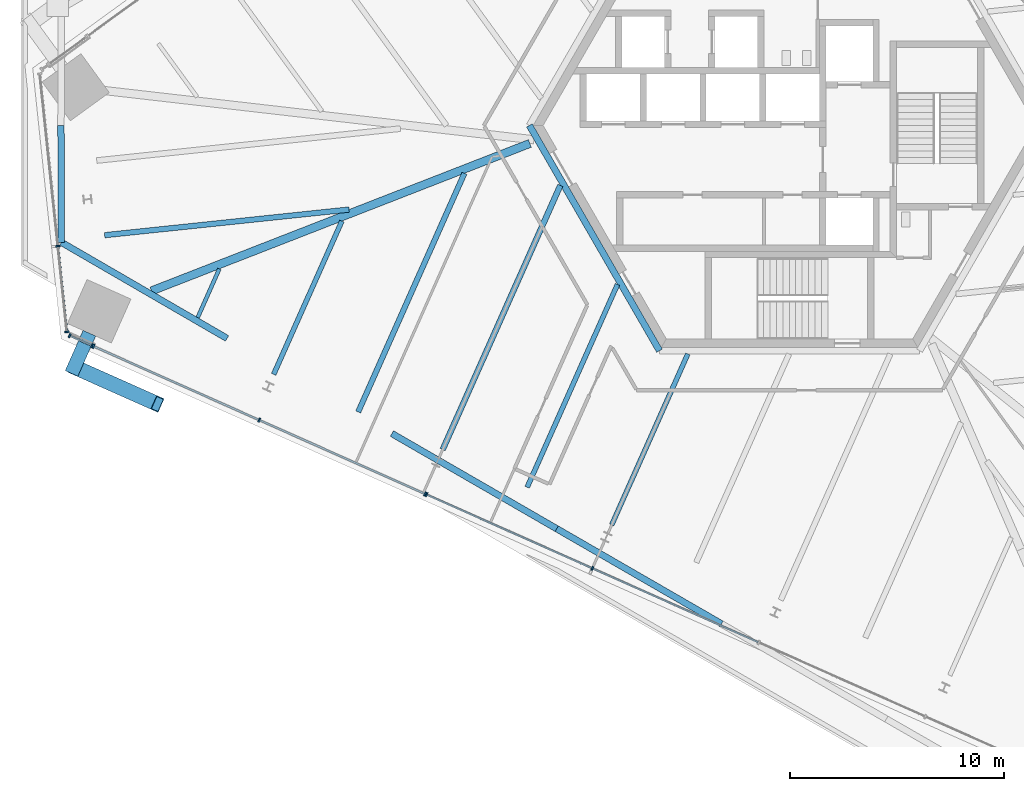
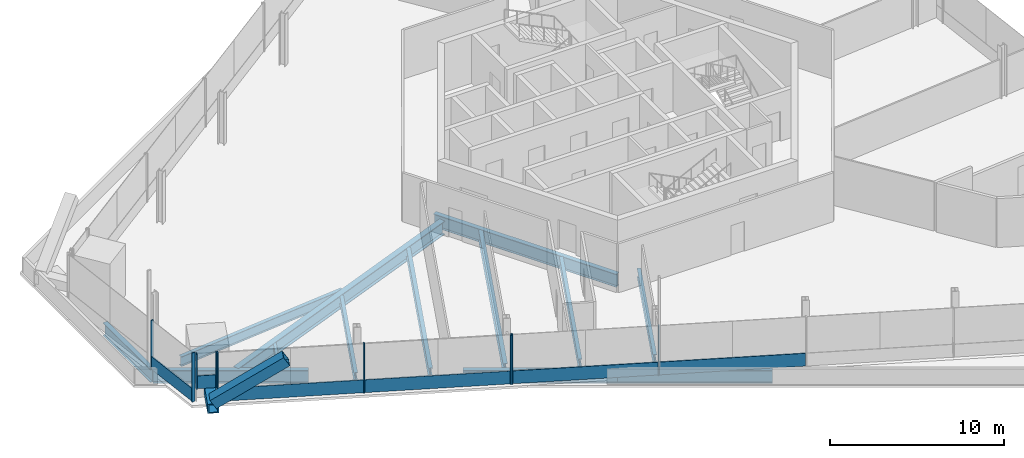
# One storey, part 3 of 24: 17 members, 13 beams, 4 elements without a shape of their own.
"""IFC4 building model written with IfcOpenShell, lengths in metres."""

from ifc_helpers import new_model, si_unit, direction, frame, origin, origin_2d, place, context, subcontext, project, spatial, rectangle, hollow_rectangle, i_section, extrude, source, transform, mapped, material, material_profile, profile_set, type_object, element, aggregate, save


model = new_model("IFC4")

# Units and contexts
model_context = context("Model", 3, precision=1e-05, world=origin(), true_north=direction((0.0, 1.0)))
body_context = subcontext(model_context, "Body", "Model", "MODEL_VIEW")
ifc_project = project(units=[si_unit("LENGTHUNIT", "METRE"), si_unit("AREAUNIT", "SQUARE_METRE"), si_unit("VOLUMEUNIT", "CUBIC_METRE"), si_unit("PLANEANGLEUNIT", "RADIAN"), si_unit("MASSUNIT", "GRAM", prefix="KILO")], contexts=[model_context])

# Site, building, storey
site_placement = place(None, origin())
site = spatial("IfcSite", under=ifc_project, at=site_placement, CompositionType="ELEMENT")
building_placement = place(site_placement, origin())
building = spatial("IfcBuilding", under=site, at=building_placement, Name="Triune Harvest Tower", CompositionType="ELEMENT")
storey_placement = place(building_placement, frame((0.0, 0.0, 58.5)))
storey = spatial("IfcBuildingStorey", under=building, at=storey_placement, Name="L13", CompositionType="ELEMENT", Elevation=58.5)

# Beam
ifc_material_1 = material(Name="Steel ASTM A992 Gr 50", Category="steel")
ifc_material_profile_1 = material_profile(ifc_material_1, i_section(OverallWidth=0.253662109375, OverallDepth=0.683349609375, WebThickness=0.012451171875, FlangeThickness=0.01904296875, at=origin_2d()), Name="W27x94")
ifc_profile_set_1 = profile_set([ifc_material_profile_1], Name="Steel ASTM A992 Gr 50")
beam_type_1 = type_object("IfcBeamType", Name="JT-4 Floor joist W27x94", PredefinedType="JOIST", material=ifc_profile_set_1)
beam_1_placement = place(storey_placement, frame((-32.06494140625, -5.1376953125, -0.501708984375), z_axis=(0.994521487449, 0.104532344283, 0.0), x_axis=(-0.104532344283, 0.994521487449, 0.0)))
element("IfcBeam", 1, at=beam_1_placement, inside=storey, type_object=beam_type_1, Name="beam/L13/JT26", PredefinedType="JOIST", context=body_context, shape_type="SweptSolid", body=[
    extrude(i_section(OverallWidth=0.253662109375, OverallDepth=0.683349609375, WebThickness=0.012451171875, FlangeThickness=0.01904296875, at=origin_2d()), origin(), (0.0, 0.0, 1.0), 11.5048828125),
])

# Curtain wall, members
ifc_material_2 = material(Name="Aluminium bronze anodised", Category="aluminium")
curtain_wall_type_1 = type_object("IfcCurtainWallType", Name="CW-1 Tower stick curtain wall", PredefinedType="NOTDEFINED", material=ifc_material_2)
curtain_wall_1_placement = place(storey_placement, origin())
curtain_wall_1 = element("IfcCurtainWall", 2, at=curtain_wall_1_placement, inside=storey, type_object=curtain_wall_type_1, Name="CW-1 B2-F5 L13 run 1101")
ifc_material_3 = material(Name="Aluminium bronze anodised", Category="aluminium")
ifc_material_profile_2 = material_profile(ifc_material_3, rectangle(XDim=0.090087890625, YDim=0.89990234375, at=origin_2d()), Name="TR-1 transom 90 x 900")
ifc_profile_set_2 = profile_set([ifc_material_profile_2], Name="Aluminium bronze anodised")
member_type_1 = type_object("IfcMemberType", Name="TR-1 transom 90 x 900", PredefinedType="USERDEFINED", material=ifc_profile_set_2)
member_1_placement = place(storey_placement, frame((-16.95947265625, -17.294921875, 0.449951171875), z_axis=(0.913541160541, -0.406746294386, 0.0), x_axis=(0.406746294386, 0.913541160541, 0.0)))
member_1 = element("IfcMember", 3, at=member_1_placement, type_object=member_type_1, Name="CW-1 transom B2-F5 1101.1", ObjectType="TRANSOM", PredefinedType="USERDEFINED", context=body_context, shape_type="SweptSolid", body=[
    extrude(rectangle(XDim=0.090087890625, YDim=0.89990234375, at=origin_2d()), origin(), (0.0, 0.0, 1.0), 8.421142578125),
])
member_2_placement = place(storey_placement, frame((-9.19775390625, -20.750732421875, 0.449951171875), z_axis=(0.913549515159, -0.406727529623, 0.0), x_axis=(0.406727529623, 0.913549515159, 0.0)))
member_2 = element("IfcMember", 4, at=member_2_placement, type_object=member_type_1, Name="CW-1 transom B2-F5 1101.2", ObjectType="TRANSOM", PredefinedType="USERDEFINED", context=body_context, shape_type="SweptSolid", body=[
    extrude(rectangle(XDim=0.090087890625, YDim=0.89990234375, at=origin_2d()), origin(), (0.0, 0.0, 1.0), 8.458740234375),
])

# Beams
ifc_material_4 = material(Name="Steel ASTM A992 Gr 50", Category="steel")
ifc_material_profile_3 = material_profile(ifc_material_4, i_section(OverallWidth=0.3046875, OverallDepth=0.914306640625, WebThickness=0.0166015625, FlangeThickness=0.02587890625, at=origin_2d()), Name="W36x160")
ifc_profile_set_3 = profile_set([ifc_material_profile_3], Name="Steel ASTM A992 Gr 50")
beam_type_2 = type_object("IfcBeamType", Name="CG-1 Core ring girder W36x160", PredefinedType="BEAM", material=ifc_profile_set_3)
shared_shape_1 = source(origin(), body_context, "Body", "SweptSolid", [
    extrude(i_section(OverallWidth=0.3046875, OverallDepth=0.914306640625, WebThickness=0.0166015625, FlangeThickness=0.02587890625, at=origin_2d()), origin(), (0.0, 0.0, 1.0), 12.176025390625),
])
beam_2_placement = place(storey_placement, frame((-12.176025390625, 0.0, -0.6171875), z_axis=(0.5000099932, -0.866019634131, 0.0), x_axis=(0.866019634131, 0.5000099932, 0.0)))
element("IfcBeam", 5, at=beam_2_placement, inside=storey, type_object=beam_type_2, Name="beam/L13/CG4", PredefinedType="BEAM", context=body_context, shape_type="MappedRepresentation", body=[
    mapped(shared_shape_1, transform((0.0, 0.0, 0.0), scale=1.0)),
])
ifc_material_5 = material(Name="Steel ASTM A992 Gr 50", Category="steel")
ifc_material_profile_4 = material_profile(ifc_material_5, i_section(OverallWidth=0.3046875, OverallDepth=0.914306640625, WebThickness=0.0166015625, FlangeThickness=0.02587890625, at=origin_2d()), Name="W36x160")
ifc_profile_set_4 = profile_set([ifc_material_profile_4], Name="Steel ASTM A992 Gr 50")
beam_type_3 = type_object("IfcBeamType", Name="SB-1 Spandrel beam W36x160", PredefinedType="SPANDREL", material=ifc_profile_set_4)
shared_shape_2 = source(origin(), body_context, "Body", "SweptSolid", [
    extrude(i_section(OverallWidth=0.3046875, OverallDepth=0.914306640625, WebThickness=0.0166015625, FlangeThickness=0.02587890625, at=origin_2d()), origin(), (0.0, 0.0, 1.0), 8.909912109375),
])
beam_3_placement = place(storey_placement, frame((-10.899658203125, -18.87890625, -0.6171875), z_axis=(0.866015380681, -0.500017360122, 0.0), x_axis=(0.500017360122, 0.866015380681, 0.0)))
element("IfcBeam", 6, at=beam_3_placement, inside=storey, type_object=beam_type_3, Name="beam/L13/WB17", PredefinedType="SPANDREL", context=body_context, shape_type="MappedRepresentation", body=[
    mapped(shared_shape_2, transform((0.0, 0.0, 0.0), scale=1.0)),
])
shared_shape_3 = source(origin(), body_context, "Body", "SweptSolid", [
    extrude(i_section(OverallWidth=0.3046875, OverallDepth=0.914306640625, WebThickness=0.0166015625, FlangeThickness=0.02587890625, at=origin_2d()), origin(), (0.0, 0.0, 1.0), 8.91015625),
])
beam_4_placement = place(storey_placement, frame((-18.615966796875, -14.423828125, -0.6171875), z_axis=(0.866022231217, -0.500005495009, 0.0), x_axis=(0.500005495009, 0.866022231217, 0.0)))
element("IfcBeam", 7, at=beam_4_placement, inside=storey, type_object=beam_type_3, Name="beam/L13/WB16", PredefinedType="SPANDREL", context=body_context, shape_type="MappedRepresentation", body=[
    mapped(shared_shape_3, transform((0.0, 0.0, 0.0), scale=1.0)),
])
shared_shape_4 = source(origin(), body_context, "Body", "SweptSolid", [
    extrude(i_section(OverallWidth=0.3046875, OverallDepth=0.914306640625, WebThickness=0.0166015625, FlangeThickness=0.02587890625, at=origin_2d()), origin(), (0.0, 0.0, 1.0), 5.469970703125),
])
beam_5_placement = place(storey_placement, frame((-34.108642578125, 0.0, -0.6171875), z_axis=(0.002945758252, -0.999995661245, 0.0), x_axis=(0.999995661245, 0.002945758252, 0.0)))
element("IfcBeam", 8, at=beam_5_placement, inside=storey, type_object=beam_type_3, Name="beam/L13/WB14", PredefinedType="SPANDREL", context=body_context, shape_type="MappedRepresentation", body=[
    mapped(shared_shape_4, transform((0.0, 0.0, 0.0), scale=1.0)),
])
shared_shape_5 = source(origin(), body_context, "Body", "SweptSolid", [
    extrude(i_section(OverallWidth=0.3046875, OverallDepth=0.914306640625, WebThickness=0.0166015625, FlangeThickness=0.02587890625, at=origin_2d()), origin(), (0.0, 0.0, 1.0), 8.97021484375),
])
beam_6_placement = place(storey_placement, frame((-34.092529296875, -5.469970703125, -0.6171875), z_axis=(0.865124255228, -0.501557596909, 0.0), x_axis=(0.501557596909, 0.865124255228, 0.0)))
element("IfcBeam", 9, at=beam_6_placement, inside=storey, type_object=beam_type_3, Name="beam/L13/WB15", PredefinedType="SPANDREL", context=body_context, shape_type="MappedRepresentation", body=[
    mapped(shared_shape_5, transform((0.0, 0.0, 0.0), scale=1.0)),
])
ifc_material_6 = material(Name="Steel ASTM A992 Gr 50", Category="steel")
ifc_material_profile_5 = material_profile(ifc_material_6, i_section(OverallWidth=0.383544921875, OverallDepth=0.9423828125, WebThickness=0.022216796875, FlangeThickness=0.039794921875, at=origin_2d()), Name="W36x232")
ifc_profile_set_5 = profile_set([ifc_material_profile_5], Name="Steel ASTM A992 Gr 50")
beam_type_4 = type_object("IfcBeamType", Name="HG-1 Hip girder W36x232", PredefinedType="BEAM", material=ifc_profile_set_5)
shared_shape_6 = source(origin(), body_context, "Body", "SweptSolid", [
    extrude(i_section(OverallWidth=0.383544921875, OverallDepth=0.9423828125, WebThickness=0.022216796875, FlangeThickness=0.039794921875, at=origin_2d()), origin(), (0.0, 0.0, 1.0), 19.005615234375),
])
beam_7_placement = place(storey_placement, frame((-29.866943359375, -7.74365234375, -0.631103515625), z_axis=(0.931736586121, 0.363134870377, 0.0), x_axis=(-0.363134870377, 0.931736586121, 0.0)))
element("IfcBeam", 10, at=beam_7_placement, inside=storey, type_object=beam_type_4, Name="beam/L13/HG6", PredefinedType="BEAM", context=body_context, shape_type="MappedRepresentation", body=[
    mapped(shared_shape_6, transform((0.0, 0.0, 0.0), scale=1.0)),
])
ifc_material_7 = material(Name="Steel ASTM A992 Gr 50", Category="steel")
ifc_material_profile_6 = material_profile(ifc_material_7, i_section(OverallWidth=0.180908203125, OverallDepth=0.41650390625, WebThickness=0.010986328125, FlangeThickness=0.01806640625, at=origin_2d()), Name="W16x57")
ifc_profile_set_6 = profile_set([ifc_material_profile_6], Name="Steel ASTM A992 Gr 50")
beam_type_5 = type_object("IfcBeamType", Name="JT-1 Floor joist W16x57", PredefinedType="JOIST", material=ifc_profile_set_6)
shared_shape_7 = source(origin(), body_context, "Body", "SweptSolid", [
    extrude(i_section(OverallWidth=0.180908203125, OverallDepth=0.41650390625, WebThickness=0.010986328125, FlangeThickness=0.01806640625, at=origin_2d()), origin(), (0.0, 0.0, 1.0), 2.49755859375),
])
beam_8_placement = place(storey_placement, frame((-27.70947265625, -8.994384765625, -0.368408203125), z_axis=(0.406727890448, 0.913549354513, 0.0), x_axis=(-0.913549354513, 0.406727890448, 0.0)))
element("IfcBeam", 11, at=beam_8_placement, inside=storey, type_object=beam_type_5, Name="beam/L13/JT27", PredefinedType="JOIST", context=body_context, shape_type="MappedRepresentation", body=[
    mapped(shared_shape_7, transform((0.0, 0.0, 0.0), scale=1.0)),
])
ifc_material_8 = material(Name="Steel ASTM A992 Gr 50", Category="steel")
ifc_material_profile_7 = material_profile(ifc_material_8, i_section(OverallWidth=0.22900390625, OverallDepth=0.612060546875, WebThickness=0.011962890625, FlangeThickness=0.01953125, at=origin_2d()), Name="W24x84")
ifc_profile_set_7 = profile_set([ifc_material_profile_7], Name="Steel ASTM A992 Gr 50")
beam_type_6 = type_object("IfcBeamType", Name="JT-3 Floor joist W24x84", PredefinedType="JOIST", material=ifc_profile_set_7)
shared_shape_8 = source(origin(), body_context, "Body", "SweptSolid", [
    extrude(i_section(OverallWidth=0.22900390625, OverallDepth=0.612060546875, WebThickness=0.011962890625, FlangeThickness=0.01953125, at=origin_2d()), origin(), (0.0, 0.0, 1.0), 10.391845703125),
])
beam_9_placement = place(storey_placement, frame((-12.281494140625, -16.9365234375, -0.466064453125), z_axis=(0.406742183403, 0.91354299091, 0.0), x_axis=(-0.91354299091, 0.406742183403, 0.0)))
element("IfcBeam", 12, at=beam_9_placement, inside=storey, type_object=beam_type_6, Name="beam/L13/JT31", PredefinedType="JOIST", context=body_context, shape_type="MappedRepresentation", body=[
    mapped(shared_shape_8, transform((0.0, 0.0, 0.0), scale=1.0)),
])
shared_shape_9 = source(origin(), body_context, "Body", "SweptSolid", [
    extrude(i_section(OverallWidth=0.22900390625, OverallDepth=0.612060546875, WebThickness=0.011962890625, FlangeThickness=0.01953125, at=origin_2d()), origin(), (0.0, 0.0, 1.0), 8.758056640625),
])
beam_10_placement = place(storey_placement, frame((-8.324951171875, -18.697998046875, -0.466064453125), z_axis=(0.406735841045, 0.913545814729, 0.0), x_axis=(-0.913545814729, 0.406735841045, 0.0)))
element("IfcBeam", 13, at=beam_10_placement, inside=storey, type_object=beam_type_6, Name="beam/L13/JT32", PredefinedType="JOIST", context=body_context, shape_type="MappedRepresentation", body=[
    mapped(shared_shape_9, transform((0.0, 0.0, 0.0), scale=1.0)),
])
shared_shape_10 = source(origin(), body_context, "Body", "SweptSolid", [
    extrude(i_section(OverallWidth=0.22900390625, OverallDepth=0.612060546875, WebThickness=0.011962890625, FlangeThickness=0.01953125, at=origin_2d()), origin(), (0.0, 0.0, 1.0), 7.853759765625),
])
beam_11_placement = place(storey_placement, frame((-24.151611328125, -11.651611328125, -0.466064453125), z_axis=(0.406726768993, 0.913549853804, 0.0), x_axis=(-0.913549853804, 0.406726768993, 0.0)))
element("IfcBeam", 14, at=beam_11_placement, inside=storey, type_object=beam_type_6, Name="beam/L13/JT28", PredefinedType="JOIST", context=body_context, shape_type="MappedRepresentation", body=[
    mapped(shared_shape_10, transform((0.0, 0.0, 0.0), scale=1.0)),
])
shared_shape_11 = source(origin(), body_context, "Body", "SweptSolid", [
    extrude(i_section(OverallWidth=0.253662109375, OverallDepth=0.683349609375, WebThickness=0.012451171875, FlangeThickness=0.01904296875, at=origin_2d()), origin(), (0.0, 0.0, 1.0), 12.229248046875),
])
beam_12_placement = place(storey_placement, frame((-20.19482421875, -13.4130859375, -0.501708984375), z_axis=(0.406742230534, 0.913542969925, 0.0), x_axis=(-0.913542969925, 0.406742230534, 0.0)))
element("IfcBeam", 15, at=beam_12_placement, inside=storey, type_object=beam_type_1, Name="beam/L13/JT29", PredefinedType="JOIST", context=body_context, shape_type="MappedRepresentation", body=[
    mapped(shared_shape_11, transform((0.0, 0.0, 0.0), scale=1.0)),
])
ifc_material_9 = material(Name="Steel ASTM A992 Gr 50", Category="steel")
ifc_material_profile_8 = material_profile(ifc_material_9, i_section(OverallWidth=0.2666015625, OverallDepth=0.7568359375, WebThickness=0.013916015625, FlangeThickness=0.019287109375, at=origin_2d()), Name="W30x108")
ifc_profile_set_8 = profile_set([ifc_material_profile_8], Name="Steel ASTM A992 Gr 50")
beam_type_7 = type_object("IfcBeamType", Name="JT-5 Floor joist W30x108", PredefinedType="JOIST", material=ifc_profile_set_8)
shared_shape_12 = source(origin(), body_context, "Body", "SweptSolid", [
    extrude(i_section(OverallWidth=0.2666015625, OverallDepth=0.7568359375, WebThickness=0.013916015625, FlangeThickness=0.019287109375, at=origin_2d()), origin(), (0.0, 0.0, 1.0), 13.538818359375),
])
beam_13_placement = place(storey_placement, frame((-16.23828125, -15.1748046875, -0.53857421875), z_axis=(0.406747400488, 0.913540668058, 0.0), x_axis=(-0.913540668058, 0.406747400488, 0.0)))
element("IfcBeam", 16, at=beam_13_placement, inside=storey, type_object=beam_type_7, Name="beam/L13/JT30", PredefinedType="JOIST", context=body_context, shape_type="MappedRepresentation", body=[
    mapped(shared_shape_12, transform((0.0, 0.0, 0.0), scale=1.0)),
])

# Members
ifc_material_10 = material(Name="Steel ASTM A572 Gr 50", Category="steel")
ifc_material_profile_9 = material_profile(ifc_material_10, hollow_rectangle(XDim=0.64990234375, YDim=0.64990234375, WallThickness=0.070068359375, at=origin_2d()), Name="Box 650x650x70")
ifc_profile_set_9 = profile_set([ifc_material_profile_9], Name="Steel ASTM A572 Gr 50")
member_type_2 = type_object("IfcMemberType", Name="BS-1 Brace stub Box 650x650x70", PredefinedType="STRUT", material=ifc_profile_set_9)
shared_shape_13 = source(origin(), body_context, "Body", "SweptSolid", [
    extrude(hollow_rectangle(XDim=0.64990234375, YDim=0.64990234375, WallThickness=0.070068359375, at=origin_2d()), origin(), (0.0, 0.0, 1.0), 2.060302734375),
])
member_3_placement = place(storey_placement, frame((-32.776611328125, -9.72705078125, 0.60009765625), z_axis=(-0.406809039826, -0.913513221095, 0.0), x_axis=(0.913513221095, -0.406809039826, 0.0)))
element("IfcMember", 17, at=member_3_placement, inside=storey, type_object=member_type_2, Name="brace/B2-F5/stub1", PredefinedType="STRUT", context=body_context, shape_type="MappedRepresentation", body=[
    mapped(shared_shape_13, transform((0.0, 0.0, 0.0), scale=1.0)),
])
ifc_material_11 = material(Name="Steel ASTM A572 Gr 50", Category="steel")
ifc_material_profile_10 = material_profile(ifc_material_11, hollow_rectangle(XDim=0.699951171875, YDim=0.699951171875, WallThickness=0.0400390625, at=origin_2d()), Name="Box 700x700x40")
ifc_profile_set_10 = profile_set([ifc_material_profile_10], Name="Steel ASTM A572 Gr 50")
member_type_3 = type_object("IfcMemberType", Name="BR-1 Brace Box 700x700x40", PredefinedType="BRACE", material=ifc_profile_set_10)
shared_shape_14 = source(origin(), body_context, "Body", "SweptSolid", [
    extrude(hollow_rectangle(XDim=0.699951171875, YDim=0.699951171875, WallThickness=0.0400390625, at=origin_2d()), origin(), (0.0, 0.0, 1.0), 5.04541015625),
])
member_4_placement = place(storey_placement, frame((-33.48046875, -11.3076171875, 0.889892578125), z_axis=(0.770536743571, -0.343122082935, 0.537159532177), x_axis=(0.40679306121, 0.913520336583, 0.0)))
element("IfcMember", 18, at=member_4_placement, inside=storey, type_object=member_type_3, Name="brace/B2-F5/d1/1", PredefinedType="BRACE", context=body_context, shape_type="MappedRepresentation", body=[
    mapped(shared_shape_14, transform((0.0, 0.0, 0.0), scale=1.0)),
])

# Curtain wall, members
curtain_wall_2_placement = place(storey_placement, origin())
curtain_wall_2 = element("IfcCurtainWall", 19, at=curtain_wall_2_placement, inside=storey, type_object=curtain_wall_type_1, Name="CW-1 B2-F5 L13 run 1")
ifc_material_12 = material(Name="Aluminium bronze anodised", Category="aluminium")
ifc_material_profile_11 = material_profile(ifc_material_12, rectangle(XDim=0.199951171875, YDim=0.074951171875, at=origin_2d()), Name="MU-1 mullion 75 x 200")
ifc_profile_set_11 = profile_set([ifc_material_profile_11], Name="Aluminium bronze anodised")
member_type_4 = type_object("IfcMemberType", Name="MU-1 mullion 75 x 200", PredefinedType="MULLION", material=ifc_profile_set_11)
shared_shape_15 = source(origin(), body_context, "Body", "SweptSolid", [
    extrude(rectangle(XDim=0.199951171875, YDim=0.074951171875, at=origin_2d()), origin(), (0.0, 0.0, 1.0), 2.454833984375),
])
member_5_placement = place(storey_placement, frame((-33.7021484375, -9.840576171875, 0.985107421875), z_axis=(0.0, 0.0, 1.0), x_axis=(0.406723161408, 0.913551459949, 0.0)))
member_5 = element("IfcMember", 20, at=member_5_placement, type_object=member_type_4, Name="CW-1 mullion B2-F5 1.1", PredefinedType="MULLION", context=body_context, shape_type="MappedRepresentation", body=[
    mapped(shared_shape_15, transform((0.0, 0.0, 0.0), scale=1.0)),
])
member_6_placement = place(storey_placement, frame((-32.654541015625, -10.30712890625, 0.985107421875), z_axis=(0.0, 0.0, 1.0), x_axis=(0.406723161408, 0.913551459949, 0.0)))
member_6 = element("IfcMember", 21, at=member_6_placement, type_object=member_type_4, Name="CW-1 mullion B2-F5 1.2", PredefinedType="MULLION", context=body_context, shape_type="MappedRepresentation", body=[
    mapped(shared_shape_15, transform((0.0, 0.0, 0.0), scale=1.0)),
])
shared_shape_16 = source(origin(), body_context, "Body", "SweptSolid", [
    extrude(rectangle(XDim=0.090087890625, YDim=0.89990234375, at=origin_2d()), origin(), (0.0, 0.0, 1.0), 1.07177734375),
])
member_7_placement = place(storey_placement, frame((-33.66796875, -9.85595703125, 1.43505859375), z_axis=(0.913614190522, -0.406582231384, 0.0), x_axis=(0.406582231384, 0.913614190522, 0.0)))
member_7 = element("IfcMember", 22, at=member_7_placement, type_object=member_type_1, Name="CW-1 transom B2-F5 1.1", ObjectType="TRANSOM", PredefinedType="USERDEFINED", context=body_context, shape_type="MappedRepresentation", body=[
    mapped(shared_shape_16, transform((0.0, 0.0, 0.0), scale=1.0)),
])
aggregate(curtain_wall_2, [member_5, member_6, member_7])

curtain_wall_3_placement = place(storey_placement, origin())
curtain_wall_3 = element("IfcCurtainWall", 23, at=curtain_wall_3_placement, inside=storey, type_object=curtain_wall_type_1, Name="CW-1 B2-F4 L13 run 1")
shared_shape_17 = source(origin(), body_context, "Body", "SweptSolid", [
    extrude(rectangle(XDim=0.199951171875, YDim=0.074951171875, at=origin_2d()), origin(), (0.0, 0.0, 1.0), 3.43994140625),
])
member_8_placement = place(storey_placement, frame((-34.25390625, -5.648193359375, 0.0), z_axis=(0.0, 0.0, 1.0), x_axis=(0.994521790334, 0.104529462601, 0.0)))
member_8 = element("IfcMember", 24, at=member_8_placement, type_object=member_type_4, Name="CW-1 mullion B2-F4 1.3", PredefinedType="MULLION", context=body_context, shape_type="MappedRepresentation", body=[
    mapped(shared_shape_17, transform((0.0, 0.0, 0.0), scale=1.0)),
])
member_9_placement = place(storey_placement, frame((-33.83203125, -9.662109375, 0.0), z_axis=(0.0, 0.0, 1.0), x_axis=(0.994521790334, 0.104529462601, 0.0)))
member_9 = element("IfcMember", 25, at=member_9_placement, type_object=member_type_4, Name="CW-1 mullion B2-F4 1.4", PredefinedType="MULLION", context=body_context, shape_type="MappedRepresentation", body=[
    mapped(shared_shape_17, transform((0.0, 0.0, 0.0), scale=1.0)),
])

ifc_material_13 = material(Name="Aluminium bronze anodised", Category="aluminium")
curtain_wall_type_2 = type_object("IfcCurtainWallType", Name="CW-7 Tower stick curtain wall with insulated spandrel infill", PredefinedType="NOTDEFINED", material=ifc_material_13)
curtain_wall_4_placement = place(storey_placement, origin())
curtain_wall_4 = element("IfcCurtainWall", 26, at=curtain_wall_4_placement, inside=storey, type_object=curtain_wall_type_2, Name="CW-7 B2-F5 L13 run 101")
member_10_placement = place(storey_placement, frame((-32.5859375, -10.337646484375, 0.0), z_axis=(0.0, 0.0, 1.0), x_axis=(0.406736901885, 0.913545342413, 0.0)))
member_10 = element("IfcMember", 27, at=member_10_placement, type_object=member_type_4, Name="CW-7 mullion B2-F5 101.1", PredefinedType="MULLION", context=body_context, shape_type="MappedRepresentation", body=[
    mapped(shared_shape_17, transform((0.0, 0.0, 0.0), scale=1.0)),
])
member_11_placement = place(storey_placement, frame((-24.82421875, -13.79345703125, 0.0), z_axis=(0.0, 0.0, 1.0), x_axis=(0.406736901885, 0.913545342413, 0.0)))
member_11 = element("IfcMember", 28, at=member_11_placement, type_object=member_type_4, Name="CW-7 mullion B2-F5 101.3", PredefinedType="MULLION", context=body_context, shape_type="MappedRepresentation", body=[
    mapped(shared_shape_17, transform((0.0, 0.0, 0.0), scale=1.0)),
])
member_12_placement = place(storey_placement, frame((-17.062255859375, -17.249267578125, 0.0), z_axis=(0.0, 0.0, 1.0), x_axis=(0.406736901885, 0.913545342413, 0.0)))
member_12 = element("IfcMember", 29, at=member_12_placement, type_object=member_type_4, Name="CW-7 mullion B2-F5 101.5", PredefinedType="MULLION", context=body_context, shape_type="MappedRepresentation", body=[
    mapped(shared_shape_17, transform((0.0, 0.0, 0.0), scale=1.0)),
])

# Member
member_13_placement = place(storey_placement, frame((-16.993896484375, -17.279541015625, 0.0), z_axis=(0.0, 0.0, 1.0), x_axis=(0.406737990407, 0.913544857771, 0.0)))
member_13 = element("IfcMember", 30, at=member_13_placement, type_object=member_type_4, Name="CW-1 mullion B2-F5 1101.1", PredefinedType="MULLION", context=body_context, shape_type="MappedRepresentation", body=[
    mapped(shared_shape_17, transform((0.0, 0.0, 0.0), scale=1.0)),
])

member_14_placement = place(storey_placement, frame((-9.23193359375, -20.7353515625, 0.0), z_axis=(0.0, 0.0, 1.0), x_axis=(0.406737990407, 0.913544857771, 0.0)))
member_14 = element("IfcMember", 31, at=member_14_placement, type_object=member_type_4, Name="CW-1 mullion B2-F5 1101.3", PredefinedType="MULLION", context=body_context, shape_type="MappedRepresentation", body=[
    mapped(shared_shape_17, transform((0.0, 0.0, 0.0), scale=1.0)),
])

aggregate(curtain_wall_1, [member_13, member_14, member_1, member_2])

shared_shape_18 = source(origin(), body_context, "Body", "SweptSolid", [
    extrude(rectangle(XDim=0.090087890625, YDim=0.89990234375, at=origin_2d()), origin(), (0.0, 0.0, 1.0), 3.9609375),
])
member_15_placement = place(storey_placement, frame((-34.25, -5.685546875, 0.449951171875), z_axis=(0.104537191117, -0.994520977996, 0.0), x_axis=(0.994520977996, 0.104537191117, 0.0)))
member_15 = element("IfcMember", 32, at=member_15_placement, type_object=member_type_1, Name="CW-1 transom B2-F4 1.2", ObjectType="TRANSOM", PredefinedType="USERDEFINED", context=body_context, shape_type="MappedRepresentation", body=[
    mapped(shared_shape_18, transform((0.0, 0.0, 0.0), scale=1.0)),
])

aggregate(curtain_wall_3, [member_8, member_9, member_15])

shared_shape_19 = source(origin(), body_context, "Body", "SweptSolid", [
    extrude(rectangle(XDim=0.090087890625, YDim=0.89990234375, at=origin_2d()), origin(), (0.0, 0.0, 1.0), 8.42138671875),
])
member_16_placement = place(storey_placement, frame((-32.5517578125, -10.352783203125, 0.449951171875), z_axis=(0.913545956726, -0.406735522114, 0.0), x_axis=(0.406735522114, 0.913545956726, 0.0)))
member_16 = element("IfcMember", 33, at=member_16_placement, type_object=member_type_1, Name="CW-7 transom B2-F5 101.1", ObjectType="TRANSOM", PredefinedType="USERDEFINED", context=body_context, shape_type="MappedRepresentation", body=[
    mapped(shared_shape_19, transform((0.0, 0.0, 0.0), scale=1.0)),
])

member_17_placement = place(storey_placement, frame((-24.7900390625, -13.80859375, 0.449951171875), z_axis=(0.913545956726, -0.406735522114, 0.0), x_axis=(0.406735522114, 0.913545956726, 0.0)))
member_17 = element("IfcMember", 34, at=member_17_placement, type_object=member_type_1, Name="CW-7 transom B2-F5 101.2", ObjectType="TRANSOM", PredefinedType="USERDEFINED", context=body_context, shape_type="MappedRepresentation", body=[
    mapped(shared_shape_19, transform((0.0, 0.0, 0.0), scale=1.0)),
])

aggregate(curtain_wall_4, [member_10, member_11, member_12, member_16, member_17])

save(model, "model.ifc")
